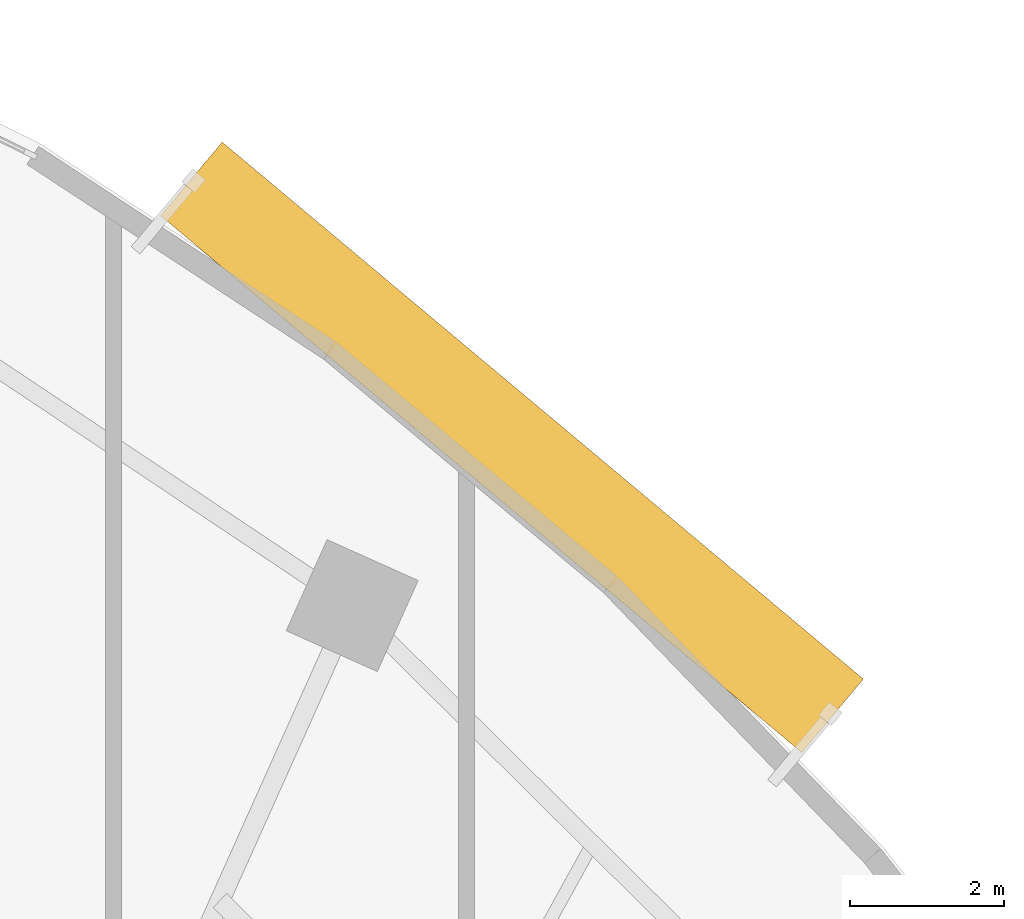
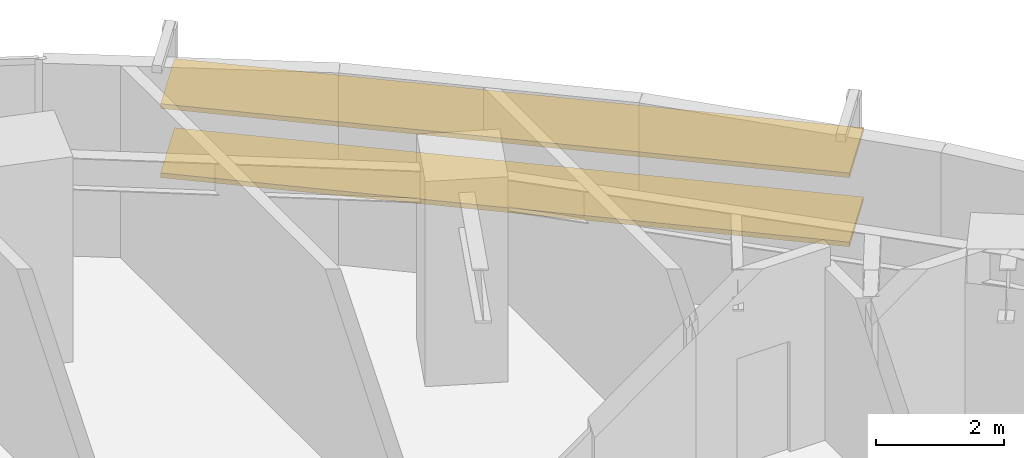
# One storey, part 14 of 14: 2 shading devices.
"""IFC4 building model written with IfcOpenShell, lengths in metres."""

import ifcopenshell
import ifcopenshell.guid

model = None  # the IFC model being written
_history = None  # IfcOwnerHistory: only IFC2X3 demands one
_inside = {}  # id of a spatial element -> (the spatial element, [elements in it])
_under = {}  # id of a project, library or spatial element -> (it, [spatial elements below it])
_declared = {}  # id of a project -> (the project, [libraries it declares])
_typed = {}  # id of a type object -> (the type object, [elements of that type])
_made_of = {}  # id of a material, layer set ... -> (it, [elements and type objects made of it])


def new_model(schema):
    """Start an empty IFC model of exactly this schema.

    Asked for "IFC4X3", IfcOpenShell would pick the latest addendum, in which some entities
    have other attributes; the version numbers below select the first issue.
    IFC2X3 requires an IfcOwnerHistory on every rooted entity: one is made here for all.
    """
    global model, _history
    if schema == "IFC4X3":
        model = ifcopenshell.file(schema_version=(4, 3, 0, 0))
    else:
        model = ifcopenshell.file(schema=schema)
    _inside.clear()
    _under.clear()
    _declared.clear()
    _typed.clear()
    _made_of.clear()
    _history = None
    if model.schema == "IFC2X3":
        org = make("IfcOrganization", Name="unknown")
        user = make(
            "IfcPersonAndOrganization",
            ThePerson=make("IfcPerson", FamilyName="unknown"),
            TheOrganization=org,
        )
        app = make(
            "IfcApplication",
            ApplicationDeveloper=org,
            Version="unknown",
            ApplicationFullName="unknown",
            ApplicationIdentifier="unknown",
        )
        _history = make(
            "IfcOwnerHistory",
            OwningUser=user,
            OwningApplication=app,
            ChangeAction="ADDED",
            CreationDate=0,
        )
    return model


def make(cls, **values):
    """One entity of the class cls with the attributes given. An attribute that is None is left unset."""
    return model.create_entity(
        cls, **{name: value for name, value in values.items() if value is not None}
    )


def rooted(cls, **values):
    """An entity with a GlobalId (a new one), such as an element, a storey or a relation."""
    return make(cls, GlobalId=ifcopenshell.guid.new(), OwnerHistory=_history, **values)


def si_unit(unit_type, name, prefix=None):
    """IfcSIUnit, for example si_unit("LENGTHUNIT", "METRE", prefix="MILLI")."""
    return make("IfcSIUnit", UnitType=unit_type, Prefix=prefix, Name=name)


def assignment(units):
    """IfcUnitAssignment: the units of a project."""
    return None if units is None else make("IfcUnitAssignment", Units=units)


def point(xyz):
    """IfcCartesianPoint."""
    return None if xyz is None else make("IfcCartesianPoint", Coordinates=xyz)


def direction(xyz):
    """IfcDirection."""
    return None if xyz is None else make("IfcDirection", DirectionRatios=xyz)


def frame(location, z_axis=None, x_axis=None):
    """IfcAxis2Placement3D, a coordinate frame: its origin and axes. An axis left out is left unset."""
    return make(
        "IfcAxis2Placement3D",
        Location=point(location),
        Axis=direction(z_axis),
        RefDirection=direction(x_axis),
    )


def frame_2d(location, x_axis=None):
    """IfcAxis2Placement2D, a coordinate frame in the plane: its origin and x axis."""
    return make(
        "IfcAxis2Placement2D", Location=point(location), RefDirection=direction(x_axis)
    )


def origin():
    """The frame at (0, 0, 0) with its axes left unset."""
    return frame((0.0, 0.0, 0.0))


def origin_2d():
    """The frame at (0, 0) in the plane with its x axis left unset."""
    return frame_2d((0.0, 0.0))


def place(relative_to, where):
    """IfcLocalPlacement: puts the frame where relative to a parent placement (None: the world)."""
    return make(
        "IfcLocalPlacement", PlacementRelTo=relative_to, RelativePlacement=where
    )


def context(
    kind, dimensions, precision=None, world=None, true_north=None, identifier=None
):
    """IfcGeometricRepresentationContext, for example the 3D "Model" context."""
    return make(
        "IfcGeometricRepresentationContext",
        ContextIdentifier=identifier,
        ContextType=kind,
        CoordinateSpaceDimension=dimensions,
        Precision=precision,
        WorldCoordinateSystem=world,
        TrueNorth=true_north,
    )


def subcontext(parent, identifier, kind, view, scale=None):
    """IfcGeometricRepresentationSubContext, for example "Body" below "Model"."""
    return make(
        "IfcGeometricRepresentationSubContext",
        ContextIdentifier=identifier,
        ContextType=kind,
        ParentContext=parent,
        TargetScale=scale,
        TargetView=view,
    )


def project(units=None, contexts=None):
    """IfcProject with its units and contexts."""
    return rooted(
        "IfcProject",
        Name="project",
        RepresentationContexts=contexts,
        UnitsInContext=assignment(units),
    )


def spatial(cls, under=None, at=None, **own):
    """A site, building, storey or space (cls), placed at a placement, below another one or the project."""
    s = rooted(cls, ObjectPlacement=at, **own)
    if under is not None:
        _under.setdefault(under.id(), (under, []))[1].append(s)
    return s


def profile(cls, at=None, kind="AREA", **sizes):
    """A parametric profile (cls). Its sizes go by their IFC names, for example OverallWidth=200.0."""
    return make(cls, ProfileType=kind, Position=at, **sizes)


def rectangle(**sizes):
    """IfcRectangleProfileDef."""
    return profile("IfcRectangleProfileDef", **sizes)


def extrude(swept, where, along, depth):
    """IfcExtrudedAreaSolid: the profile swept, set in the frame where, extruded along a direction by depth."""
    return make(
        "IfcExtrudedAreaSolid",
        SweptArea=swept,
        Position=where,
        ExtrudedDirection=direction(along),
        Depth=depth,
    )


def shape(context_of_items, identifier, shape_type, items):
    """IfcShapeRepresentation: the items that make up one representation, for example the "Body"."""
    return make(
        "IfcShapeRepresentation",
        ContextOfItems=context_of_items,
        RepresentationIdentifier=identifier,
        RepresentationType=shape_type,
        Items=items,
    )


def source(mapping_origin, context_of_items, identifier, shape_type, items):
    """IfcRepresentationMap: a shape defined once, which mapped items show again and again."""
    return make(
        "IfcRepresentationMap",
        MappingOrigin=mapping_origin,
        MappedRepresentation=shape(context_of_items, identifier, shape_type, items),
    )


def transform(
    local_origin,
    x_axis=None,
    y_axis=None,
    z_axis=None,
    scale=None,
    scale2=None,
    scale3=None,
    uniform=True,
):
    """IfcCartesianTransformationOperator3D, or its non-uniform kind. x_axis, y_axis, z_axis: its Axis1, 2, 3."""
    if uniform:
        return make(
            "IfcCartesianTransformationOperator3D",
            Axis1=direction(x_axis),
            Axis2=direction(y_axis),
            LocalOrigin=point(local_origin),
            Scale=scale,
            Axis3=direction(z_axis),
        )
    return make(
        "IfcCartesianTransformationOperator3DnonUniform",
        Axis1=direction(x_axis),
        Axis2=direction(y_axis),
        LocalOrigin=point(local_origin),
        Scale=scale,
        Axis3=direction(z_axis),
        Scale2=scale2,
        Scale3=scale3,
    )


def mapped(mapping_source, mapping_target):
    """IfcMappedItem: shows the shape of a source again, moved by a transform."""
    return make(
        "IfcMappedItem", MappingSource=mapping_source, MappingTarget=mapping_target
    )


def material(Name=None, Category=None):
    """IfcMaterial."""
    return make("IfcMaterial", Name=Name, Category=Category)


def material_profile(
    of_material, cross_section, Name=None, Category=None, Priority=None
):
    """IfcMaterialProfile: a cross section and its material."""
    return make(
        "IfcMaterialProfile",
        Name=Name,
        Material=of_material,
        Profile=cross_section,
        Priority=Priority,
        Category=Category,
    )


def profile_set(profiles, Name=None, composite=None):
    """IfcMaterialProfileSet."""
    return make(
        "IfcMaterialProfileSet",
        Name=Name,
        MaterialProfiles=profiles,
        CompositeProfile=composite,
    )


def made_of(thing, what):
    """Note that an element or type object is made of a material, layer set ...; save() writes the relation."""
    if what is not None:
        _made_of.setdefault(what.id(), (what, []))[1].append(thing)
    return thing


def type_object(cls, material=None, **own):
    """A type object (cls), such as IfcWallType, which elements share."""
    return made_of(rooted(cls, **own), material)


def element(
    cls,
    number,
    at=None,
    inside=None,
    cuts=None,
    type_object=None,
    material=None,
    context=None,
    identifier="Body",
    shape_type=None,
    held_by="IfcProductDefinitionShape",
    body=None,
    shapes=None,
    **own,
):
    """One element of the class cls, such as IfcWall. Its Tag is "e" and its number.

    at: its placement. inside: the storey or other place that contains it. cuts: it is an
    opening in that element (IfcRelVoidsElement). A single representation is given by context,
    identifier, shape_type and body (its items); several are given by shapes. held_by: the class
    of the entity that holds the representations. save() writes the other relations.
    """
    e = rooted(cls, Tag="e%d" % number, ObjectPlacement=at, **own)
    if body is not None:
        shapes = [shape(context, identifier, shape_type, body)]
    if shapes is not None:
        e.Representation = make(held_by, Representations=shapes)
    if inside is not None:
        _inside.setdefault(inside.id(), (inside, []))[1].append(e)
    if cuts is not None:
        rooted(
            "IfcRelVoidsElement", RelatingBuildingElement=cuts, RelatedOpeningElement=e
        )
    if type_object is not None:
        _typed.setdefault(type_object.id(), (type_object, []))[1].append(e)
    return made_of(e, material)


def aggregate(whole, parts):
    """IfcRelAggregates: a whole, such as a stair, and the parts it consists of."""
    return rooted("IfcRelAggregates", RelatingObject=whole, RelatedObjects=parts)


def save(model, path):
    """Write the relations noted so far, then the file.

    IfcRelAggregates (storeys below a building ...), IfcRelContainedInSpatialStructure (elements
    in a storey), IfcRelDefinesByType, IfcRelAssociatesMaterial and IfcRelDeclares: one each for
    every whole, place, type object, material and project.
    """
    for whole, parts in _under.values():
        aggregate(whole, parts)
    for where, things in _inside.values():
        rooted(
            "IfcRelContainedInSpatialStructure",
            RelatedElements=things,
            RelatingStructure=where,
        )
    for kind, things in _typed.values():
        rooted("IfcRelDefinesByType", RelatedObjects=things, RelatingType=kind)
    for what, things in _made_of.values():
        rooted("IfcRelAssociatesMaterial", RelatedObjects=things, RelatingMaterial=what)
    for by, libraries in _declared.values():
        rooted("IfcRelDeclares", RelatingContext=by, RelatedDefinitions=libraries)
    model.write(path)


model = new_model("IFC4")

# Units and contexts
model_context = context("Model", 3, precision=1e-05, world=origin(), true_north=direction((0.0, 1.0)))
body_context = subcontext(model_context, "Body", "Model", "MODEL_VIEW")
ifc_project = project(units=[si_unit("LENGTHUNIT", "METRE"), si_unit("AREAUNIT", "SQUARE_METRE"), si_unit("VOLUMEUNIT", "CUBIC_METRE"), si_unit("PLANEANGLEUNIT", "RADIAN"), si_unit("MASSUNIT", "GRAM", prefix="KILO")], contexts=[model_context])

# Site, building, storey
site_placement = place(None, origin())
site = spatial("IfcSite", under=ifc_project, at=site_placement, CompositionType="ELEMENT")
building_placement = place(site_placement, origin())
building = spatial("IfcBuilding", under=site, at=building_placement, Name="Breltana Convention Tower", CompositionType="ELEMENT")
storey_placement = place(building_placement, frame((0.0, 0.0, 131.10009765625)))
storey = spatial("IfcBuildingStorey", under=building, at=storey_placement, Name="L31", CompositionType="ELEMENT", Elevation=131.10009765625)

# Shading devices
ifc_material = material(Name="Limestone Warm Buff Honed", Category="masonry")
ifc_material_profile = material_profile(ifc_material, rectangle(XDim=1.25, YDim=0.090087890625, at=origin_2d()), Name="STN-LVR-1250X90")
ifc_profile_set = profile_set([ifc_material_profile], Name="Limestone Warm Buff Honed")
shading_device_type = type_object("IfcShadingDeviceType", Name="SHD-OUTER-SKIN-LIMESTONE-1250", PredefinedType="JALOUSIE", material=ifc_profile_set)
shared_shape = source(origin(), body_context, "Body", "SweptSolid", [
    extrude(rectangle(XDim=1.25, YDim=0.090087890625, at=origin_2d()), origin(), (0.0, 0.0, 1.0), 10.892333984375),
])
for number, where, z_axis, x_axis, name in (
    (1, (66.81591796875, 74.190673828125, 1.31396484375), (0.766718160057, -0.641983849515, 0.0), (0.641983849515, 0.766718160057, 0.0), "L31 outer skin warm limestone louvre 2.1"),
    (2, (66.81591796875, 74.190673828125, 2.6279296875), (0.766718160057, -0.641983849515, 0.0), (0.641983849515, 0.766718160057, 0.0), "L31 outer skin warm limestone louvre 2.2"),
):
    element("IfcShadingDevice", number, at=place(storey_placement, frame(where, z_axis=z_axis, x_axis=x_axis)), inside=storey, type_object=shading_device_type, Name=name, PredefinedType="JALOUSIE", context=body_context, shape_type="MappedRepresentation", body=[
        mapped(shared_shape, transform((0.0, 0.0, 0.0), scale=1.0)),
    ])

save(model, "model.ifc")
